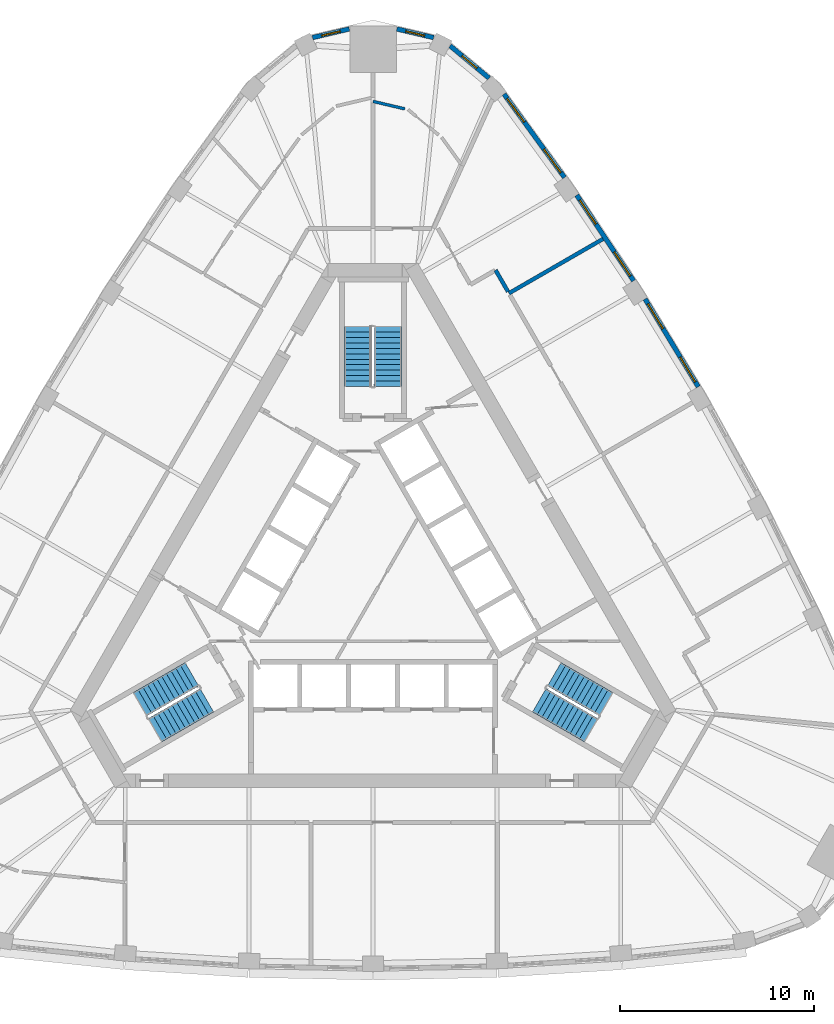
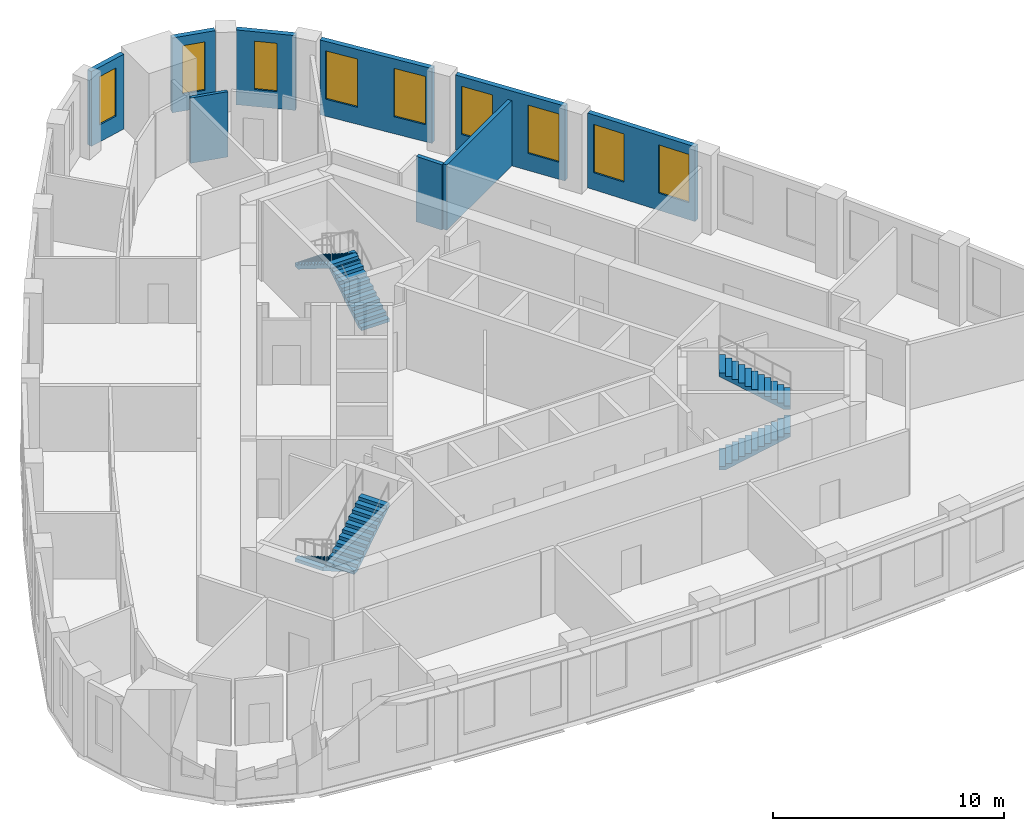
# One storey, part 9 of 10: 9 walls, 9 windows, 6 stair flights, 9 openings, 3 elements without a shape of their own.
"""IFC4 building model written with IfcOpenShell, lengths in metres."""

import ifcopenshell
import ifcopenshell.guid

model = None  # the IFC model being written
_history = None  # IfcOwnerHistory: only IFC2X3 demands one
_inside = {}  # id of a spatial element -> (the spatial element, [elements in it])
_under = {}  # id of a project, library or spatial element -> (it, [spatial elements below it])
_declared = {}  # id of a project -> (the project, [libraries it declares])
_typed = {}  # id of a type object -> (the type object, [elements of that type])
_made_of = {}  # id of a material, layer set ... -> (it, [elements and type objects made of it])


def new_model(schema):
    """Start an empty IFC model of exactly this schema.

    Asked for "IFC4X3", IfcOpenShell would pick the latest addendum, in which some entities
    have other attributes; the version numbers below select the first issue.
    IFC2X3 requires an IfcOwnerHistory on every rooted entity: one is made here for all.
    """
    global model, _history
    if schema == "IFC4X3":
        model = ifcopenshell.file(schema_version=(4, 3, 0, 0))
    else:
        model = ifcopenshell.file(schema=schema)
    _inside.clear()
    _under.clear()
    _declared.clear()
    _typed.clear()
    _made_of.clear()
    _history = None
    if model.schema == "IFC2X3":
        org = make("IfcOrganization", Name="unknown")
        user = make(
            "IfcPersonAndOrganization",
            ThePerson=make("IfcPerson", FamilyName="unknown"),
            TheOrganization=org,
        )
        app = make(
            "IfcApplication",
            ApplicationDeveloper=org,
            Version="unknown",
            ApplicationFullName="unknown",
            ApplicationIdentifier="unknown",
        )
        _history = make(
            "IfcOwnerHistory",
            OwningUser=user,
            OwningApplication=app,
            ChangeAction="ADDED",
            CreationDate=0,
        )
    return model


def make(cls, **values):
    """One entity of the class cls with the attributes given. An attribute that is None is left unset."""
    return model.create_entity(
        cls, **{name: value for name, value in values.items() if value is not None}
    )


def rooted(cls, **values):
    """An entity with a GlobalId (a new one), such as an element, a storey or a relation."""
    return make(cls, GlobalId=ifcopenshell.guid.new(), OwnerHistory=_history, **values)


def si_unit(unit_type, name, prefix=None):
    """IfcSIUnit, for example si_unit("LENGTHUNIT", "METRE", prefix="MILLI")."""
    return make("IfcSIUnit", UnitType=unit_type, Prefix=prefix, Name=name)


def assignment(units):
    """IfcUnitAssignment: the units of a project."""
    return None if units is None else make("IfcUnitAssignment", Units=units)


def point(xyz):
    """IfcCartesianPoint."""
    return None if xyz is None else make("IfcCartesianPoint", Coordinates=xyz)


def direction(xyz):
    """IfcDirection."""
    return None if xyz is None else make("IfcDirection", DirectionRatios=xyz)


def frame(location, z_axis=None, x_axis=None):
    """IfcAxis2Placement3D, a coordinate frame: its origin and axes. An axis left out is left unset."""
    return make(
        "IfcAxis2Placement3D",
        Location=point(location),
        Axis=direction(z_axis),
        RefDirection=direction(x_axis),
    )


def frame_2d(location, x_axis=None):
    """IfcAxis2Placement2D, a coordinate frame in the plane: its origin and x axis."""
    return make(
        "IfcAxis2Placement2D", Location=point(location), RefDirection=direction(x_axis)
    )


def origin():
    """The frame at (0, 0, 0) with its axes left unset."""
    return frame((0.0, 0.0, 0.0))


def place(relative_to, where):
    """IfcLocalPlacement: puts the frame where relative to a parent placement (None: the world)."""
    return make(
        "IfcLocalPlacement", PlacementRelTo=relative_to, RelativePlacement=where
    )


def context(
    kind, dimensions, precision=None, world=None, true_north=None, identifier=None
):
    """IfcGeometricRepresentationContext, for example the 3D "Model" context."""
    return make(
        "IfcGeometricRepresentationContext",
        ContextIdentifier=identifier,
        ContextType=kind,
        CoordinateSpaceDimension=dimensions,
        Precision=precision,
        WorldCoordinateSystem=world,
        TrueNorth=true_north,
    )


def subcontext(parent, identifier, kind, view, scale=None):
    """IfcGeometricRepresentationSubContext, for example "Body" below "Model"."""
    return make(
        "IfcGeometricRepresentationSubContext",
        ContextIdentifier=identifier,
        ContextType=kind,
        ParentContext=parent,
        TargetScale=scale,
        TargetView=view,
    )


def project(units=None, contexts=None):
    """IfcProject with its units and contexts."""
    return rooted(
        "IfcProject",
        Name="project",
        RepresentationContexts=contexts,
        UnitsInContext=assignment(units),
    )


def spatial(cls, under=None, at=None, **own):
    """A site, building, storey or space (cls), placed at a placement, below another one or the project."""
    s = rooted(cls, ObjectPlacement=at, **own)
    if under is not None:
        _under.setdefault(under.id(), (under, []))[1].append(s)
    return s


def polyline(points):
    """IfcPolyline through the points."""
    return make("IfcPolyline", Points=[point(p) for p in points])


def profile(cls, at=None, kind="AREA", **sizes):
    """A parametric profile (cls). Its sizes go by their IFC names, for example OverallWidth=200.0."""
    return make(cls, ProfileType=kind, Position=at, **sizes)


def rectangle(**sizes):
    """IfcRectangleProfileDef."""
    return profile("IfcRectangleProfileDef", **sizes)


def outline(outer, holes=None, kind="AREA"):
    """IfcArbitraryClosedProfileDef: a profile drawn as a closed curve; with holes, ...WithVoids."""
    if holes is None:
        return make("IfcArbitraryClosedProfileDef", ProfileType=kind, OuterCurve=outer)
    return make(
        "IfcArbitraryProfileDefWithVoids",
        ProfileType=kind,
        OuterCurve=outer,
        InnerCurves=holes,
    )


def extrude(swept, where, along, depth):
    """IfcExtrudedAreaSolid: the profile swept, set in the frame where, extruded along a direction by depth."""
    return make(
        "IfcExtrudedAreaSolid",
        SweptArea=swept,
        Position=where,
        ExtrudedDirection=direction(along),
        Depth=depth,
    )


def shape(context_of_items, identifier, shape_type, items):
    """IfcShapeRepresentation: the items that make up one representation, for example the "Body"."""
    return make(
        "IfcShapeRepresentation",
        ContextOfItems=context_of_items,
        RepresentationIdentifier=identifier,
        RepresentationType=shape_type,
        Items=items,
    )


def material(Name=None, Category=None):
    """IfcMaterial."""
    return make("IfcMaterial", Name=Name, Category=Category)


def layer(
    of_material, thickness, ventilated=None, Name=None, Category=None, Priority=None
):
    """IfcMaterialLayer: one layer of a wall or slab, of a material (None: an air gap)."""
    return make(
        "IfcMaterialLayer",
        Material=of_material,
        LayerThickness=thickness,
        IsVentilated=ventilated,
        Name=Name,
        Category=Category,
        Priority=Priority,
    )


def layer_set(layers, Name=None):
    """IfcMaterialLayerSet."""
    return make("IfcMaterialLayerSet", MaterialLayers=layers, LayerSetName=Name)


def made_of(thing, what):
    """Note that an element or type object is made of a material, layer set ...; save() writes the relation."""
    if what is not None:
        _made_of.setdefault(what.id(), (what, []))[1].append(thing)
    return thing


def type_object(cls, material=None, **own):
    """A type object (cls), such as IfcWallType, which elements share."""
    return made_of(rooted(cls, **own), material)


def element(
    cls,
    number,
    at=None,
    inside=None,
    cuts=None,
    type_object=None,
    material=None,
    context=None,
    identifier="Body",
    shape_type=None,
    held_by="IfcProductDefinitionShape",
    body=None,
    shapes=None,
    **own,
):
    """One element of the class cls, such as IfcWall. Its Tag is "e" and its number.

    at: its placement. inside: the storey or other place that contains it. cuts: it is an
    opening in that element (IfcRelVoidsElement). A single representation is given by context,
    identifier, shape_type and body (its items); several are given by shapes. held_by: the class
    of the entity that holds the representations. save() writes the other relations.
    """
    e = rooted(cls, Tag="e%d" % number, ObjectPlacement=at, **own)
    if body is not None:
        shapes = [shape(context, identifier, shape_type, body)]
    if shapes is not None:
        e.Representation = make(held_by, Representations=shapes)
    if inside is not None:
        _inside.setdefault(inside.id(), (inside, []))[1].append(e)
    if cuts is not None:
        rooted(
            "IfcRelVoidsElement", RelatingBuildingElement=cuts, RelatedOpeningElement=e
        )
    if type_object is not None:
        _typed.setdefault(type_object.id(), (type_object, []))[1].append(e)
    return made_of(e, material)


def fill(opening, filler):
    """IfcRelFillsElement: the door or window that sits in an opening."""
    return rooted(
        "IfcRelFillsElement",
        RelatingOpeningElement=opening,
        RelatedBuildingElement=filler,
    )


def aggregate(whole, parts):
    """IfcRelAggregates: a whole, such as a stair, and the parts it consists of."""
    return rooted("IfcRelAggregates", RelatingObject=whole, RelatedObjects=parts)


def save(model, path):
    """Write the relations noted so far, then the file.

    IfcRelAggregates (storeys below a building ...), IfcRelContainedInSpatialStructure (elements
    in a storey), IfcRelDefinesByType, IfcRelAssociatesMaterial and IfcRelDeclares: one each for
    every whole, place, type object, material and project.
    """
    for whole, parts in _under.values():
        aggregate(whole, parts)
    for where, things in _inside.values():
        rooted(
            "IfcRelContainedInSpatialStructure",
            RelatedElements=things,
            RelatingStructure=where,
        )
    for kind, things in _typed.values():
        rooted("IfcRelDefinesByType", RelatedObjects=things, RelatingType=kind)
    for what, things in _made_of.values():
        rooted("IfcRelAssociatesMaterial", RelatedObjects=things, RelatingMaterial=what)
    for by, libraries in _declared.values():
        rooted("IfcRelDeclares", RelatingContext=by, RelatedDefinitions=libraries)
    model.write(path)


model = new_model("IFC4")

# Units and contexts
model_context = context("Model", 3, precision=1e-05, world=origin(), true_north=direction((0.0, 1.0)))
body_context = subcontext(model_context, "Body", "Model", "MODEL_VIEW")
ifc_project = project(units=[si_unit("LENGTHUNIT", "METRE"), si_unit("AREAUNIT", "SQUARE_METRE"), si_unit("VOLUMEUNIT", "CUBIC_METRE"), si_unit("PLANEANGLEUNIT", "RADIAN"), si_unit("MASSUNIT", "GRAM", prefix="KILO")], contexts=[model_context])

# Site, building, storey
site_placement = place(None, origin())
site = spatial("IfcSite", under=ifc_project, at=site_placement, CompositionType="ELEMENT")
building_placement = place(site_placement, origin())
building = spatial("IfcBuilding", under=site, at=building_placement, Name="Mestral Congress Tower", CompositionType="ELEMENT")
storey_placement = place(building_placement, frame((0.0, 0.0, 214.199951171875)))
storey = spatial("IfcBuildingStorey", under=building, at=storey_placement, Name="L50", CompositionType="ELEMENT", Elevation=214.199951171875)

# Wall, openings, windows
ifc_material_1 = material(Name="Precast concrete C40/50 with limestone facing", Category="masonry")
ifc_layer_1 = layer(ifc_material_1, 0.239990234375)
ifc_layer_set_1 = layer_set([ifc_layer_1], Name="Precast concrete C40/50 with limestone facing")
wall_type_1 = type_object("IfcWallType", Name="Facade stone wall 240", PredefinedType="SOLIDWALL", material=ifc_layer_set_1)
wall_1_placement = place(storey_placement, frame((16.78173828125, 10.331298828125, 0.0), z_axis=(0.0, 0.0, 1.0), x_axis=(-0.517846166225, 0.855473756538, 0.0)))
wall_1 = element("IfcWall", 1, at=wall_1_placement, inside=storey, type_object=wall_type_1, Name="Facade wall F1-03", PredefinedType="SOLIDWALL", context=body_context, shape_type="SweptSolid", body=[
    extrude(rectangle(XDim=5.298095703125, YDim=0.239990234375, at=frame_2d((2.64892578125, 0.0))), origin(), (0.0, 0.0, 1.0), 3.949951171875),
])
opening_1_placement = place(wall_1_placement, frame((0.29443359375, 0.0, 0.89990234375)))
opening_1 = element("IfcOpeningElement", 2, at=opening_1_placement, cuts=wall_1, Name="Opening W4", PredefinedType="OPENING", context=body_context, shape_type="SweptSolid", body=[
    extrude(rectangle(XDim=1.5, YDim=2.550048828125, at=frame_2d((0.75, 1.27490234375))), frame((0.0, 0.1298828125, 0.0), z_axis=(0.0, -1.0, 0.0), x_axis=(1.0, 0.0, 0.0)), (0.0, 0.0, 1.0), 0.260009765625),
])
opening_2_placement = place(wall_1_placement, frame((3.503662109375, 0.0, 0.89990234375)))
opening_2 = element("IfcOpeningElement", 3, at=opening_2_placement, cuts=wall_1, Name="Opening W4", PredefinedType="OPENING", context=body_context, shape_type="SweptSolid", body=[
    extrude(rectangle(XDim=1.5, YDim=2.550048828125, at=frame_2d((0.75, 1.27490234375))), frame((0.0, 0.1298828125, 0.0), z_axis=(0.0, -1.0, 0.0), x_axis=(1.0, 0.0, 0.0)), (0.0, 0.0, 1.0), 0.260009765625),
])
ifc_material_2 = material(Name="Clear low-emissivity double glazing", Category="glass")
window_type_1 = type_object("IfcWindowType", Name="Facade punched window 1500 x 2550 sill 900", PartitioningType="SINGLE_PANEL", PredefinedType="WINDOW", material=ifc_material_2)
window_1_placement = place(opening_1_placement, origin())
window_1 = element("IfcWindow", 4, at=window_1_placement, inside=storey, type_object=window_type_1, Name="Window F1-03a", OverallHeight=2.550048828125, OverallWidth=1.5, PartitioningType="SINGLE_PANEL", PredefinedType="WINDOW", context=body_context, shape_type="SweptSolid", body=[
    extrude(rectangle(XDim=1.5, YDim=2.550048828125, at=frame_2d((0.75, 1.27490234375))), frame((0.0, 0.0400390625, 0.0), z_axis=(0.0, -1.0, 0.0), x_axis=(1.0, 0.0, 0.0)), (0.0, 0.0, 1.0), 0.06005859375),
])
fill(opening_1, window_1)
window_2_placement = place(opening_2_placement, origin())
window_2 = element("IfcWindow", 5, at=window_2_placement, inside=storey, type_object=window_type_1, Name="Window F1-03b", OverallHeight=2.550048828125, OverallWidth=1.5, PartitioningType="SINGLE_PANEL", PredefinedType="WINDOW", context=body_context, shape_type="SweptSolid", body=[
    extrude(rectangle(XDim=1.5, YDim=2.550048828125, at=frame_2d((0.75, 1.27490234375))), frame((0.0, 0.0400390625, 0.0), z_axis=(0.0, -1.0, 0.0), x_axis=(1.0, 0.0, 0.0)), (0.0, 0.0, 1.0), 0.06005859375),
])
fill(opening_2, window_2)

wall_2_placement = place(storey_placement, frame((13.442138671875, 15.803466796875, 0.0), z_axis=(0.0, 0.0, 1.0), x_axis=(-0.552901821755, 0.833246407433, 0.0)))
wall_2 = element("IfcWall", 6, at=wall_2_placement, inside=storey, type_object=wall_type_1, Name="Facade wall F1-04", PredefinedType="SOLIDWALL", context=body_context, shape_type="SweptSolid", body=[
    extrude(rectangle(XDim=5.29833984375, YDim=0.239990234375, at=frame_2d((2.649169921875, 0.0))), origin(), (0.0, 0.0, 1.0), 3.949951171875),
])
opening_3_placement = place(wall_2_placement, frame((0.294677734375, 0.0, 0.89990234375)))
opening_3 = element("IfcOpeningElement", 7, at=opening_3_placement, cuts=wall_2, Name="Opening W4", PredefinedType="OPENING", context=body_context, shape_type="SweptSolid", body=[
    extrude(rectangle(XDim=1.5, YDim=2.550048828125, at=frame_2d((0.75, 1.27490234375))), frame((0.0, 0.1298828125, 0.0), z_axis=(0.0, -1.0, 0.0), x_axis=(1.0, 0.0, 0.0)), (0.0, 0.0, 1.0), 0.260009765625),
])
opening_4_placement = place(wall_2_placement, frame((3.50390625, 0.0, 0.89990234375)))
opening_4 = element("IfcOpeningElement", 8, at=opening_4_placement, cuts=wall_2, Name="Opening W4", PredefinedType="OPENING", context=body_context, shape_type="SweptSolid", body=[
    extrude(rectangle(XDim=1.5, YDim=2.550048828125, at=frame_2d((0.75, 1.27490234375))), frame((0.0, 0.1298828125, 0.0), z_axis=(0.0, -1.0, 0.0), x_axis=(1.0, 0.0, 0.0)), (0.0, 0.0, 1.0), 0.260009765625),
])
window_3_placement = place(opening_3_placement, origin())
window_3 = element("IfcWindow", 9, at=window_3_placement, inside=storey, type_object=window_type_1, Name="Window F1-04a", OverallHeight=2.550048828125, OverallWidth=1.5, PartitioningType="SINGLE_PANEL", PredefinedType="WINDOW", context=body_context, shape_type="SweptSolid", body=[
    extrude(rectangle(XDim=1.5, YDim=2.550048828125, at=frame_2d((0.75, 1.27490234375))), frame((0.0, 0.0400390625, 0.0), z_axis=(0.0, -1.0, 0.0), x_axis=(1.0, 0.0, 0.0)), (0.0, 0.0, 1.0), 0.06005859375),
])
fill(opening_3, window_3)
window_4_placement = place(opening_4_placement, origin())
window_4 = element("IfcWindow", 10, at=window_4_placement, inside=storey, type_object=window_type_1, Name="Window F1-04b", OverallHeight=2.550048828125, OverallWidth=1.5, PartitioningType="SINGLE_PANEL", PredefinedType="WINDOW", context=body_context, shape_type="SweptSolid", body=[
    extrude(rectangle(XDim=1.5, YDim=2.550048828125, at=frame_2d((0.75, 1.27490234375))), frame((0.0, 0.0400390625, 0.0), z_axis=(0.0, -1.0, 0.0), x_axis=(1.0, 0.0, 0.0)), (0.0, 0.0, 1.0), 0.06005859375),
])
fill(opening_4, window_4)

wall_3_placement = place(storey_placement, frame((9.87841796875, 21.13232421875, 0.0), z_axis=(0.0, 0.0, 1.0), x_axis=(-0.586998456641, 0.80958805074, 0.0)))
wall_3 = element("IfcWall", 11, at=wall_3_placement, inside=storey, type_object=wall_type_1, Name="Facade wall F1-05", PredefinedType="SOLIDWALL", context=body_context, shape_type="SweptSolid", body=[
    extrude(rectangle(XDim=5.310791015625, YDim=0.239990234375, at=frame_2d((2.6552734375, 0.0))), origin(), (0.0, 0.0, 1.0), 3.949951171875),
])
opening_5_placement = place(wall_3_placement, frame((0.306396484375, 0.0, 0.89990234375)))
opening_5 = element("IfcOpeningElement", 12, at=opening_5_placement, cuts=wall_3, Name="Opening W4", PredefinedType="OPENING", context=body_context, shape_type="SweptSolid", body=[
    extrude(rectangle(XDim=1.5, YDim=2.550048828125, at=frame_2d((0.75, 1.27490234375))), frame((0.0, 0.1298828125, 0.0), z_axis=(0.0, -1.0, 0.0), x_axis=(1.0, 0.0, 0.0)), (0.0, 0.0, 1.0), 0.260009765625),
])
opening_6_placement = place(wall_3_placement, frame((3.539306640625, 0.0, 0.89990234375)))
opening_6 = element("IfcOpeningElement", 13, at=opening_6_placement, cuts=wall_3, Name="Opening W4", PredefinedType="OPENING", context=body_context, shape_type="SweptSolid", body=[
    extrude(rectangle(XDim=1.5, YDim=2.550048828125, at=frame_2d((0.75, 1.27490234375))), frame((0.0, 0.1298828125, 0.0), z_axis=(0.0, -1.0, 0.0), x_axis=(1.0, 0.0, 0.0)), (0.0, 0.0, 1.0), 0.260009765625),
])
window_5_placement = place(opening_5_placement, origin())
window_5 = element("IfcWindow", 14, at=window_5_placement, inside=storey, type_object=window_type_1, Name="Window F1-05a", OverallHeight=2.550048828125, OverallWidth=1.5, PartitioningType="SINGLE_PANEL", PredefinedType="WINDOW", context=body_context, shape_type="SweptSolid", body=[
    extrude(rectangle(XDim=1.5, YDim=2.550048828125, at=frame_2d((0.75, 1.27490234375))), frame((0.0, 0.0400390625, 0.0), z_axis=(0.0, -1.0, 0.0), x_axis=(1.0, 0.0, 0.0)), (0.0, 0.0, 1.0), 0.06005859375),
])
fill(opening_5, window_5)
window_6_placement = place(opening_6_placement, origin())
window_6 = element("IfcWindow", 15, at=window_6_placement, inside=storey, type_object=window_type_1, Name="Window F1-05b", OverallHeight=2.550048828125, OverallWidth=1.5, PartitioningType="SINGLE_PANEL", PredefinedType="WINDOW", context=body_context, shape_type="SweptSolid", body=[
    extrude(rectangle(XDim=1.5, YDim=2.550048828125, at=frame_2d((0.75, 1.27490234375))), frame((0.0, 0.0400390625, 0.0), z_axis=(0.0, -1.0, 0.0), x_axis=(1.0, 0.0, 0.0)), (0.0, 0.0, 1.0), 0.06005859375),
])
fill(opening_6, window_6)

# Wall, opening, window
wall_4_placement = place(storey_placement, frame((5.986572265625, 26.259033203125, 0.0), z_axis=(0.0, 0.0, 1.0), x_axis=(-0.769990037733, 0.638055908045, 0.0)))
wall_4 = element("IfcWall", 16, at=wall_4_placement, inside=storey, type_object=wall_type_1, Name="Facade wall K1-0", PredefinedType="SOLIDWALL", context=body_context, shape_type="SweptSolid", body=[
    extrude(rectangle(XDim=2.609130859375, YDim=0.239990234375, at=frame_2d((1.3046875, 0.0))), origin(), (0.0, 0.0, 1.0), 3.949951171875),
])
opening_7_placement = place(wall_4_placement, frame((0.8046875, 0.0, 0.89990234375)))
opening_7 = element("IfcOpeningElement", 17, at=opening_7_placement, cuts=wall_4, Name="Opening W5", PredefinedType="OPENING", context=body_context, shape_type="SweptSolid", body=[
    extrude(rectangle(XDim=1.0, YDim=2.550048828125, at=frame_2d((0.5, 1.27490234375))), frame((0.0, 0.1298828125, 0.0), z_axis=(0.0, -1.0, 0.0), x_axis=(1.0, 0.0, 0.0)), (0.0, 0.0, 1.0), 0.260009765625),
])
window_type_2 = type_object("IfcWindowType", Name="Facade punched window 1000 x 2550 sill 900", PartitioningType="SINGLE_PANEL", PredefinedType="WINDOW", material=ifc_material_2)
window_7_placement = place(opening_7_placement, origin())
window_7 = element("IfcWindow", 18, at=window_7_placement, inside=storey, type_object=window_type_2, Name="Window K1-0", OverallHeight=2.550048828125, OverallWidth=1.0, PartitioningType="SINGLE_PANEL", PredefinedType="WINDOW", context=body_context, shape_type="SweptSolid", body=[
    extrude(rectangle(XDim=1.0, YDim=2.550048828125, at=frame_2d((0.5, 1.27490234375))), frame((0.0, 0.0400390625, 0.0), z_axis=(0.0, -1.0, 0.0), x_axis=(1.0, 0.0, 0.0)), (0.0, 0.0, 1.0), 0.06005859375),
])
fill(opening_7, window_7)

wall_5_placement = place(storey_placement, frame((3.123046875, 28.3486328125, 0.0), z_axis=(0.0, 0.0, 1.0), x_axis=(-0.973515706272, 0.228620142686, 0.0)))
wall_5 = element("IfcWall", 19, at=wall_5_placement, inside=storey, type_object=wall_type_1, Name="Facade wall K1-1", PredefinedType="SOLIDWALL", context=body_context, shape_type="SweptSolid", body=[
    extrude(rectangle(XDim=1.94775390625, YDim=0.239990234375, at=frame_2d((0.973876953125, 0.0))), origin(), (0.0, 0.0, 1.0), 3.949951171875),
])
opening_8_placement = place(wall_5_placement, frame((0.47412109375, 0.0, 0.89990234375)))
opening_8 = element("IfcOpeningElement", 20, at=opening_8_placement, cuts=wall_5, Name="Opening W5", PredefinedType="OPENING", context=body_context, shape_type="SweptSolid", body=[
    extrude(rectangle(XDim=1.0, YDim=2.550048828125, at=frame_2d((0.5, 1.27490234375))), frame((0.0, 0.1298828125, 0.0), z_axis=(0.0, -1.0, 0.0), x_axis=(1.0, 0.0, 0.0)), (0.0, 0.0, 1.0), 0.260009765625),
])
window_8_placement = place(opening_8_placement, origin())
window_8 = element("IfcWindow", 21, at=window_8_placement, inside=storey, type_object=window_type_2, Name="Window K1-1", OverallHeight=2.550048828125, OverallWidth=1.0, PartitioningType="SINGLE_PANEL", PredefinedType="WINDOW", context=body_context, shape_type="SweptSolid", body=[
    extrude(rectangle(XDim=1.0, YDim=2.550048828125, at=frame_2d((0.5, 1.27490234375))), frame((0.0, 0.0400390625, 0.0), z_axis=(0.0, -1.0, 0.0), x_axis=(1.0, 0.0, 0.0)), (0.0, 0.0, 1.0), 0.06005859375),
])
fill(opening_8, window_8)

wall_6_placement = place(storey_placement, frame((-1.226806640625, 28.7939453125, 0.0), z_axis=(0.0, 0.0, 1.0), x_axis=(-0.973515706272, -0.228620142686, 0.0)))
wall_6 = element("IfcWall", 22, at=wall_6_placement, inside=storey, type_object=wall_type_1, Name="Facade wall K1-2", PredefinedType="SOLIDWALL", context=body_context, shape_type="SweptSolid", body=[
    extrude(rectangle(XDim=1.94775390625, YDim=0.239990234375, at=frame_2d((0.973876953125, 0.0))), origin(), (0.0, 0.0, 1.0), 3.949951171875),
])
opening_9_placement = place(wall_6_placement, frame((0.47412109375, 0.0, 0.89990234375)))
opening_9 = element("IfcOpeningElement", 23, at=opening_9_placement, cuts=wall_6, Name="Opening W5", PredefinedType="OPENING", context=body_context, shape_type="SweptSolid", body=[
    extrude(rectangle(XDim=1.0, YDim=2.550048828125, at=frame_2d((0.5, 1.27490234375))), frame((0.0, 0.1298828125, 0.0), z_axis=(0.0, -1.0, 0.0), x_axis=(1.0, 0.0, 0.0)), (0.0, 0.0, 1.0), 0.260009765625),
])
window_9_placement = place(opening_9_placement, origin())
window_9 = element("IfcWindow", 24, at=window_9_placement, inside=storey, type_object=window_type_2, Name="Window K1-2", OverallHeight=2.550048828125, OverallWidth=1.0, PartitioningType="SINGLE_PANEL", PredefinedType="WINDOW", context=body_context, shape_type="SweptSolid", body=[
    extrude(rectangle(XDim=1.0, YDim=2.550048828125, at=frame_2d((0.5, 1.27490234375))), frame((0.0, 0.0400390625, 0.0), z_axis=(0.0, -1.0, 0.0), x_axis=(1.0, 0.0, 0.0)), (0.0, 0.0, 1.0), 0.06005859375),
])
fill(opening_9, window_9)

# Walls
ifc_material_3 = material(Name="Plasterboard partition on steel studs", Category="steel")
ifc_layer_2 = layer(ifc_material_3, 0.14990234375)
ifc_layer_set_2 = layer_set([ifc_layer_2], Name="Plasterboard partition on steel studs")
wall_type_2 = type_object("IfcWallType", Name="Office partition 150", PredefinedType="PARTITIONING", material=ifc_layer_set_2)
wall_7_placement = place(storey_placement, frame((1.643798828125, 24.66943359375, 0.0), z_axis=(0.0, 0.0, 1.0), x_axis=(-0.973521361509, 0.228596060084, 0.0)))
element("IfcWall", 25, at=wall_7_placement, inside=storey, type_object=wall_type_2, Name="Partition", PredefinedType="PARTITIONING", context=body_context, shape_type="SweptSolid", body=[
    extrude(rectangle(XDim=1.6884765625, YDim=0.14990234375, at=frame_2d((0.84423828125, 0.0))), origin(), (0.0, 0.0, 1.0), 3.449951171875),
])
ifc_material_4 = material(Name="Dense masonry wall, plastered", Category="masonry")
ifc_layer_3 = layer(ifc_material_4, 0.199951171875)
ifc_layer_set_3 = layer_set([ifc_layer_3], Name="Dense masonry wall, plastered")
wall_type_3 = type_object("IfcWallType", Name="Office tenancy wall 200", PredefinedType="PARTITIONING", material=ifc_layer_set_3)
wall_8_placement = place(storey_placement, frame((7.011474609375, 15.156005859375, 0.0), z_axis=(0.0, 0.0, 1.0), x_axis=(0.866015917575, 0.500016430238, 0.0)))
element("IfcWall", 26, at=wall_8_placement, inside=storey, type_object=wall_type_3, Name="Tenancy wall", PredefinedType="PARTITIONING", context=body_context, shape_type="SweptSolid", body=[
    extrude(rectangle(XDim=5.607177734375, YDim=0.199951171875, at=frame_2d((2.8037109375, 0.0))), origin(), (0.0, 0.0, 1.0), 3.449951171875),
])
wall_9_placement = place(storey_placement, frame((6.96142578125, 15.24267578125, 0.0), z_axis=(0.0, 0.0, 1.0), x_axis=(-0.500036104519, 0.866004557827, 0.0)))
element("IfcWall", 27, at=wall_9_placement, inside=storey, type_object=wall_type_3, Name="Tenancy wall", PredefinedType="PARTITIONING", context=body_context, shape_type="SweptSolid", body=[
    extrude(rectangle(XDim=1.2802734375, YDim=0.199951171875, at=frame_2d((0.64013671875, 0.0))), origin(), (0.0, 0.0, 1.0), 3.449951171875),
])

# Stair, stair flights
ifc_material_5 = material(Name="Concrete C60/75", Category="concrete")
stair_type = type_object("IfcStairType", Name="Exit stair 1400", PredefinedType="HALF_TURN_STAIR", material=ifc_material_5)
placement = place(storey_placement, origin())
stair_1 = element("IfcStair", 28, at=placement, inside=storey, type_object=stair_type, Name="L50 ST1", PredefinedType="HALF_TURN_STAIR")
stair_flight_type = type_object("IfcStairFlightType", Name="Exit stair flight 1400", PredefinedType="STRAIGHT", material=ifc_material_5)
stair_flight_1_placement = place(storey_placement, frame((8.575927734375, -5.84619140625, 0.0), z_axis=(0.0, 0.0, 1.0), x_axis=(0.866025403784, -0.5, 0.0)))
stair_flight_1 = element("IfcStairFlight", 29, at=stair_flight_1_placement, type_object=stair_flight_type, Name="ST1 flight 1", NumberOfRisers=12, NumberOfTreads=11, PredefinedType="STRAIGHT", RiserHeight=0.175, TreadLength=0.28, context=body_context, shape_type="SweptSolid", body=[
    extrude(outline(polyline([(0.0, 0.0), (0.0, 0.175048828125), (0.280029296875, 0.175048828125), (0.280029296875, 0.35009765625), (0.56005859375, 0.35009765625), (0.56005859375, 0.52490234375), (0.840087890625, 0.52490234375), (0.840087890625, 0.699951171875), (1.1201171875, 0.699951171875), (1.1201171875, 0.875), (1.39990234375, 0.875), (1.39990234375, 1.050048828125), (1.679931640625, 1.050048828125), (1.679931640625, 1.22509765625), (1.9599609375, 1.22509765625), (1.9599609375, 1.39990234375), (2.239990234375, 1.39990234375), (2.239990234375, 1.574951171875), (2.52001953125, 1.574951171875), (2.52001953125, 1.75), (2.800048828125, 1.75), (2.800048828125, 1.925048828125), (3.080078125, 1.925048828125), (3.080078125, 2.10009765625), (3.080078125, 1.748291015625), (0.28271484375, 0.0), (0.0, 0.0)])), frame((0.0, 0.699951171875, 0.0), z_axis=(0.0, -1.0, 0.0), x_axis=(1.0, 0.0, 0.0)), (0.0, 0.0, 1.0), 1.39990234375),
])
stair_flight_2_placement = place(storey_placement, frame((12.018310546875, -6.0439453125, 2.10009765625), z_axis=(0.0, 0.0, 1.0), x_axis=(-0.866025403784, 0.5, 0.0)))
stair_flight_2 = element("IfcStairFlight", 30, at=stair_flight_2_placement, type_object=stair_flight_type, Name="ST1 flight 2", NumberOfRisers=12, NumberOfTreads=11, PredefinedType="STRAIGHT", RiserHeight=0.175, TreadLength=0.28, context=body_context, shape_type="SweptSolid", body=[
    extrude(outline(polyline([(0.0, 0.0), (0.0, 0.175048828125), (0.280029296875, 0.175048828125), (0.280029296875, 0.35009765625), (0.56005859375, 0.35009765625), (0.56005859375, 0.52490234375), (0.840087890625, 0.52490234375), (0.840087890625, 0.699951171875), (1.1201171875, 0.699951171875), (1.1201171875, 0.875), (1.39990234375, 0.875), (1.39990234375, 1.050048828125), (1.679931640625, 1.050048828125), (1.679931640625, 1.22509765625), (1.9599609375, 1.22509765625), (1.9599609375, 1.39990234375), (2.239990234375, 1.39990234375), (2.239990234375, 1.574951171875), (2.52001953125, 1.574951171875), (2.52001953125, 1.75), (2.800048828125, 1.75), (2.800048828125, 1.925048828125), (3.080078125, 1.925048828125), (3.080078125, 2.10009765625), (3.080078125, 1.748291015625), (0.28271484375, 0.0), (0.0, 0.0)])), frame((0.0, 0.699951171875, 0.0), z_axis=(0.0, -1.0, 0.0), x_axis=(1.0, 0.0, 0.0)), (0.0, 0.0, 1.0), 1.39990234375),
])
aggregate(stair_1, [stair_flight_1, stair_flight_2])

stair_2 = element("IfcStair", 31, at=placement, inside=storey, type_object=stair_type, Name="L50 ST2", PredefinedType="HALF_TURN_STAIR")
stair_flight_3_placement = place(storey_placement, frame((0.77490234375, 10.35009765625, 0.0), z_axis=(0.0, 0.0, 1.0), x_axis=(0.0, 1.0, 0.0)))
stair_flight_3 = element("IfcStairFlight", 32, at=stair_flight_3_placement, type_object=stair_flight_type, Name="ST2 flight 1", NumberOfRisers=12, NumberOfTreads=11, PredefinedType="STRAIGHT", RiserHeight=0.175, TreadLength=0.28, context=body_context, shape_type="SweptSolid", body=[
    extrude(outline(polyline([(0.0, 0.0), (0.0, 0.175048828125), (0.280029296875, 0.175048828125), (0.280029296875, 0.35009765625), (0.56005859375, 0.35009765625), (0.56005859375, 0.52490234375), (0.840087890625, 0.52490234375), (0.840087890625, 0.699951171875), (1.1201171875, 0.699951171875), (1.1201171875, 0.875), (1.39990234375, 0.875), (1.39990234375, 1.050048828125), (1.679931640625, 1.050048828125), (1.679931640625, 1.22509765625), (1.9599609375, 1.22509765625), (1.9599609375, 1.39990234375), (2.239990234375, 1.39990234375), (2.239990234375, 1.574951171875), (2.52001953125, 1.574951171875), (2.52001953125, 1.75), (2.800048828125, 1.75), (2.800048828125, 1.925048828125), (3.080078125, 1.925048828125), (3.080078125, 2.10009765625), (3.080078125, 1.748291015625), (0.28271484375, 0.0), (0.0, 0.0)])), frame((0.0, 0.699951171875, 0.0), z_axis=(0.0, -1.0, 0.0), x_axis=(1.0, 0.0, 0.0)), (0.0, 0.0, 1.0), 1.39990234375),
])
stair_flight_4_placement = place(storey_placement, frame((-0.77490234375, 13.429931640625, 2.10009765625), z_axis=(0.0, 0.0, 1.0), x_axis=(0.0, -1.0, 0.0)))
stair_flight_4 = element("IfcStairFlight", 33, at=stair_flight_4_placement, type_object=stair_flight_type, Name="ST2 flight 2", NumberOfRisers=12, NumberOfTreads=11, PredefinedType="STRAIGHT", RiserHeight=0.175, TreadLength=0.28, context=body_context, shape_type="SweptSolid", body=[
    extrude(outline(polyline([(0.0, 0.0), (0.0, 0.175048828125), (0.280029296875, 0.175048828125), (0.280029296875, 0.35009765625), (0.56005859375, 0.35009765625), (0.56005859375, 0.52490234375), (0.840087890625, 0.52490234375), (0.840087890625, 0.699951171875), (1.1201171875, 0.699951171875), (1.1201171875, 0.875), (1.39990234375, 0.875), (1.39990234375, 1.050048828125), (1.679931640625, 1.050048828125), (1.679931640625, 1.22509765625), (1.9599609375, 1.22509765625), (1.9599609375, 1.39990234375), (2.239990234375, 1.39990234375), (2.239990234375, 1.574951171875), (2.52001953125, 1.574951171875), (2.52001953125, 1.75), (2.800048828125, 1.75), (2.800048828125, 1.925048828125), (3.080078125, 1.925048828125), (3.080078125, 2.10009765625), (3.080078125, 1.748291015625), (0.28271484375, 0.0), (0.0, 0.0)])), frame((0.0, 0.699951171875, 0.0), z_axis=(0.0, -1.0, 0.0), x_axis=(1.0, 0.0, 0.0)), (0.0, 0.0, 1.0), 1.39990234375),
])
aggregate(stair_2, [stair_flight_3, stair_flight_4])

stair_3 = element("IfcStair", 34, at=placement, inside=storey, type_object=stair_type, Name="L50 ST3", PredefinedType="HALF_TURN_STAIR")
stair_flight_5_placement = place(storey_placement, frame((-9.350830078125, -4.50390625, 0.0), z_axis=(0.0, 0.0, 1.0), x_axis=(-0.866025403784, -0.5, 0.0)))
stair_flight_5 = element("IfcStairFlight", 35, at=stair_flight_5_placement, type_object=stair_flight_type, Name="ST3 flight 1", NumberOfRisers=12, NumberOfTreads=11, PredefinedType="STRAIGHT", RiserHeight=0.175, TreadLength=0.28, context=body_context, shape_type="SweptSolid", body=[
    extrude(outline(polyline([(0.0, 0.0), (0.0, 0.175048828125), (0.280029296875, 0.175048828125), (0.280029296875, 0.35009765625), (0.56005859375, 0.35009765625), (0.56005859375, 0.52490234375), (0.840087890625, 0.52490234375), (0.840087890625, 0.699951171875), (1.1201171875, 0.699951171875), (1.1201171875, 0.875), (1.39990234375, 0.875), (1.39990234375, 1.050048828125), (1.679931640625, 1.050048828125), (1.679931640625, 1.22509765625), (1.9599609375, 1.22509765625), (1.9599609375, 1.39990234375), (2.239990234375, 1.39990234375), (2.239990234375, 1.574951171875), (2.52001953125, 1.574951171875), (2.52001953125, 1.75), (2.800048828125, 1.75), (2.800048828125, 1.925048828125), (3.080078125, 1.925048828125), (3.080078125, 2.10009765625), (3.080078125, 1.748291015625), (0.28271484375, 0.0), (0.0, 0.0)])), frame((0.0, 0.699951171875, 0.0), z_axis=(0.0, -1.0, 0.0), x_axis=(1.0, 0.0, 0.0)), (0.0, 0.0, 1.0), 1.39990234375),
])
stair_flight_6_placement = place(storey_placement, frame((-11.2431640625, -7.38623046875, 2.10009765625), z_axis=(0.0, 0.0, 1.0), x_axis=(0.866025403784, 0.5, 0.0)))
stair_flight_6 = element("IfcStairFlight", 36, at=stair_flight_6_placement, type_object=stair_flight_type, Name="ST3 flight 2", NumberOfRisers=12, NumberOfTreads=11, PredefinedType="STRAIGHT", RiserHeight=0.175, TreadLength=0.28, context=body_context, shape_type="SweptSolid", body=[
    extrude(outline(polyline([(0.0, 0.0), (0.0, 0.175048828125), (0.280029296875, 0.175048828125), (0.280029296875, 0.35009765625), (0.56005859375, 0.35009765625), (0.56005859375, 0.52490234375), (0.840087890625, 0.52490234375), (0.840087890625, 0.699951171875), (1.1201171875, 0.699951171875), (1.1201171875, 0.875), (1.39990234375, 0.875), (1.39990234375, 1.050048828125), (1.679931640625, 1.050048828125), (1.679931640625, 1.22509765625), (1.9599609375, 1.22509765625), (1.9599609375, 1.39990234375), (2.239990234375, 1.39990234375), (2.239990234375, 1.574951171875), (2.52001953125, 1.574951171875), (2.52001953125, 1.75), (2.800048828125, 1.75), (2.800048828125, 1.925048828125), (3.080078125, 1.925048828125), (3.080078125, 2.10009765625), (3.080078125, 1.748291015625), (0.28271484375, 0.0), (0.0, 0.0)])), frame((0.0, 0.699951171875, 0.0), z_axis=(0.0, -1.0, 0.0), x_axis=(1.0, 0.0, 0.0)), (0.0, 0.0, 1.0), 1.39990234375),
])
aggregate(stair_3, [stair_flight_5, stair_flight_6])

save(model, "model.ifc")
